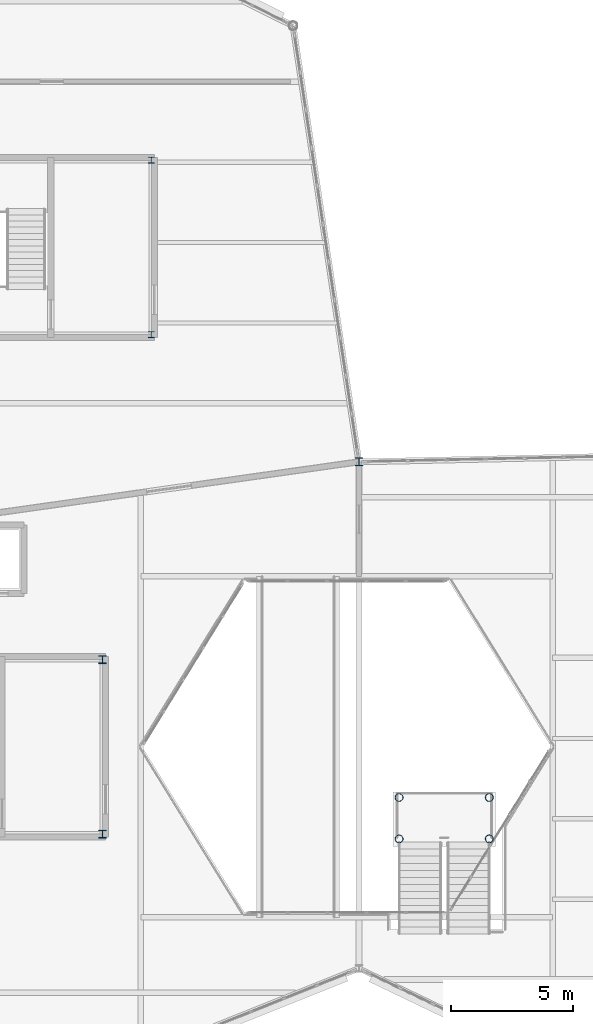
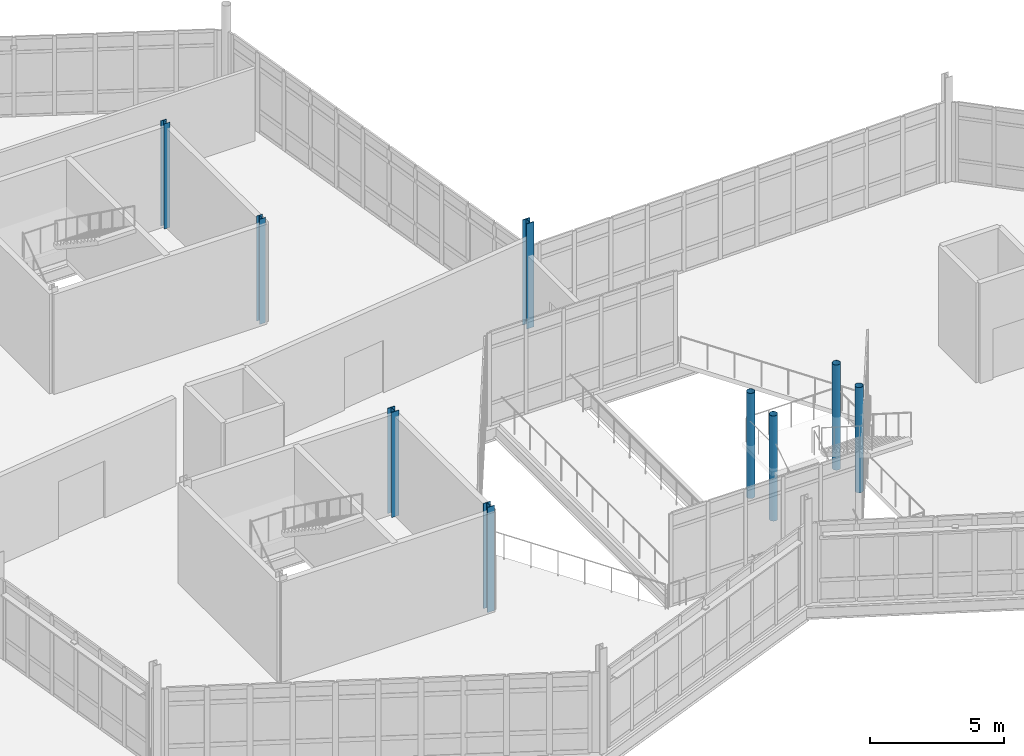
# One storey, part 7 of 114: 9 columns.
"""IFC4 building model written with IfcOpenShell, lengths in metres."""

from ifc_helpers import new_model, si_unit, direction, frame, origin, origin_2d, place, context, subcontext, project, spatial, hollow_circle, i_section, extrude, material, material_profile, profile_set, type_object, element, save


model = new_model("IFC4")

# Units and contexts
model_context = context("Model", 3, precision=1e-05, world=origin(), true_north=direction((0.0, 1.0)))
body_context = subcontext(model_context, "Body", "Model", "MODEL_VIEW")
ifc_project = project(units=[si_unit("LENGTHUNIT", "METRE"), si_unit("AREAUNIT", "SQUARE_METRE"), si_unit("VOLUMEUNIT", "CUBIC_METRE"), si_unit("PLANEANGLEUNIT", "RADIAN"), si_unit("MASSUNIT", "GRAM", prefix="KILO")], contexts=[model_context])

# Site, building, storey
site_placement = place(None, origin())
site = spatial("IfcSite", under=ifc_project, at=site_placement, CompositionType="ELEMENT")
building_placement = place(site_placement, origin())
building = spatial("IfcBuilding", under=site, at=building_placement, Name="Tameran Prism Museum", CompositionType="ELEMENT")
storey_placement = place(building_placement, frame((0.0, 0.0, 10.199951171875)))
storey = spatial("IfcBuildingStorey", under=building, at=storey_placement, Name="L02", CompositionType="ELEMENT", Elevation=10.199951171875)

# Columns
ifc_material_1 = material(Name="Steel Grade C350L0 (350 MPa)", Category="steel")
ifc_material_profile_1 = material_profile(ifc_material_1, hollow_circle(Radius=0.161865234375, WallThickness=0.010009765625, at=origin_2d()))
ifc_profile_set_1 = profile_set([ifc_material_profile_1])
column_type_1 = type_object("IfcColumnType", Name="COL-CHS324", PredefinedType="COLUMN", material=ifc_profile_set_1)
for number, where, z_axis, x_axis, name in (
    (1, (79.14990234375, 32.719970703125, 0.0), (0.0, 0.0, 1.0), (1.0, 0.0, 0.0), "Atrium Stair Support Column CAS-L02-1"),
    (2, (82.85009765625, 32.719970703125, 0.0), (0.0, 0.0, 1.0), (1.0, 0.0, 0.0), "Atrium Stair Support Column CAS-L02-2"),
    (3, (79.14990234375, 34.419921875, 0.0), (0.0, 0.0, 1.0), (1.0, 0.0, 0.0), "Atrium Stair Support Column CAS-L02-3"),
    (4, (82.85009765625, 34.419921875, 0.0), (0.0, 0.0, 1.0), (1.0, 0.0, 0.0), "Atrium Stair Support Column CAS-L02-4"),
):
    element("IfcColumn", number, at=place(storey_placement, frame(where, z_axis=z_axis, x_axis=x_axis)), inside=storey, type_object=column_type_1, Name=name, PredefinedType="COLUMN", context=body_context, shape_type="SweptSolid", body=[
        extrude(hollow_circle(Radius=0.161865234375, WallThickness=0.010009765625, at=origin_2d()), origin(), (0.0, 0.0, 1.0), 4.800048828125),
    ])
ifc_material_2 = material(Name="Steel Grade 300PLUS (300 MPa)", Category="steel")
ifc_material_profile_2 = material_profile(ifc_material_2, i_section(OverallWidth=0.25390625, OverallDepth=0.25390625, WebThickness=0.008544921875, FlangeThickness=0.01416015625, FilletRadius=0.0126953125, at=origin_2d()))
ifc_profile_set_2 = profile_set([ifc_material_profile_2])
column_type_2 = type_object("IfcColumnType", Name="COL-UC250B", PredefinedType="COLUMN", material=ifc_profile_set_2)
for number, where, z_axis, x_axis, name in (
    (5, (68.97998046875, 53.419921875, 0.0), (0.0, 0.0, 1.0), (1.0, 0.0, 0.0), "Column CC-8-2 L02"),
    (6, (68.97998046875, 60.580078125, 0.0), (0.0, 0.0, 1.0), (1.0, 0.0, 0.0), "Column CC-8-3 L02"),
):
    element("IfcColumn", number, at=place(storey_placement, frame(where, z_axis=z_axis, x_axis=x_axis)), inside=storey, type_object=column_type_2, Name=name, PredefinedType="COLUMN", context=body_context, shape_type="SweptSolid", body=[
        extrude(i_section(OverallWidth=0.25390625, OverallDepth=0.25390625, WebThickness=0.008544921875, FlangeThickness=0.01416015625, FilletRadius=0.0126953125, at=origin_2d()), origin(), (0.0, 0.0, 1.0), 4.800048828125),
    ])
ifc_material_3 = material(Name="Steel Grade 350 (350 MPa)", Category="steel")
ifc_material_profile_3 = material_profile(ifc_material_3, i_section(OverallWidth=0.31103515625, OverallDepth=0.326904296875, WebThickness=0.015625, FlangeThickness=0.02490234375, FilletRadius=0.0166015625, at=origin_2d()))
ifc_profile_set_3 = profile_set([ifc_material_profile_3])
column_type_3 = type_object("IfcColumnType", Name="COL-UC310A", PredefinedType="COLUMN", material=ifc_profile_set_3)
for number, where, z_axis, x_axis, name in (
    (7, (77.5, 48.199951171875, 0.0), (0.0, 0.0, 1.0), (1.0, 0.0, 0.0), "Column CV-35 L02"),
    (8, (66.97998046875, 32.919921875, 0.0), (0.0, 0.0, 1.0), (1.0, 0.0, 0.0), "Column CC-3-2 L02"),
    (9, (66.97998046875, 40.080078125, 0.0), (0.0, 0.0, 1.0), (1.0, 0.0, 0.0), "Column CC-3-3 L02"),
):
    element("IfcColumn", number, at=place(storey_placement, frame(where, z_axis=z_axis, x_axis=x_axis)), inside=storey, type_object=column_type_3, Name=name, PredefinedType="COLUMN", context=body_context, shape_type="SweptSolid", body=[
        extrude(i_section(OverallWidth=0.31103515625, OverallDepth=0.326904296875, WebThickness=0.015625, FlangeThickness=0.02490234375, FilletRadius=0.0166015625, at=origin_2d()), origin(), (0.0, 0.0, 1.0), 4.800048828125),
    ])

save(model, "model.ifc")
